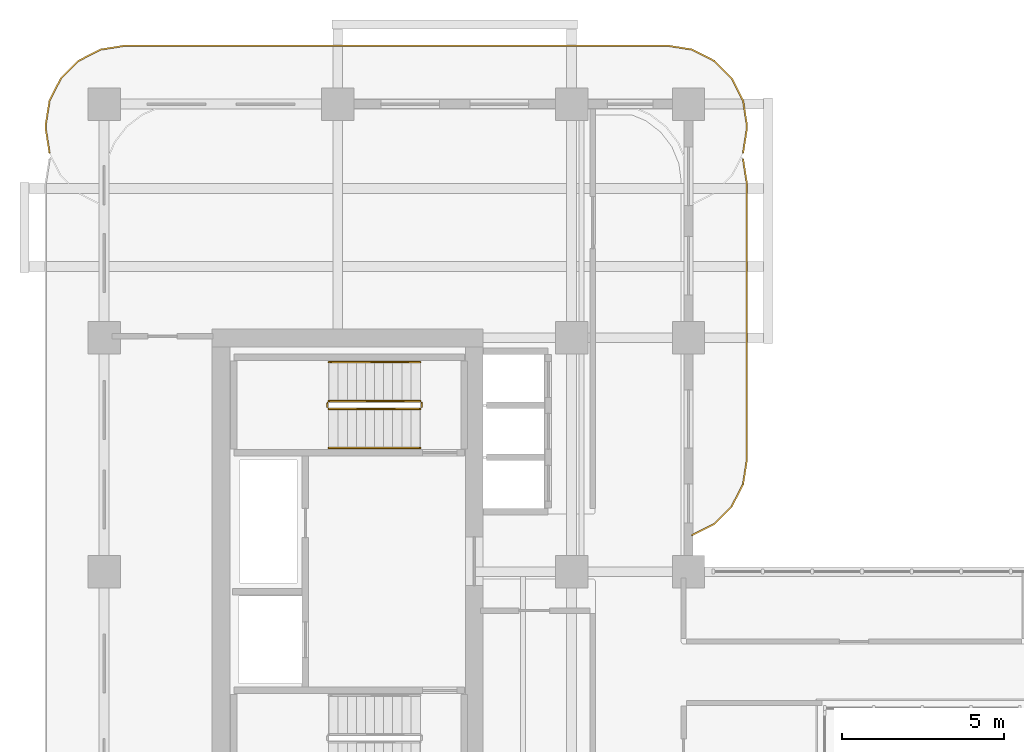
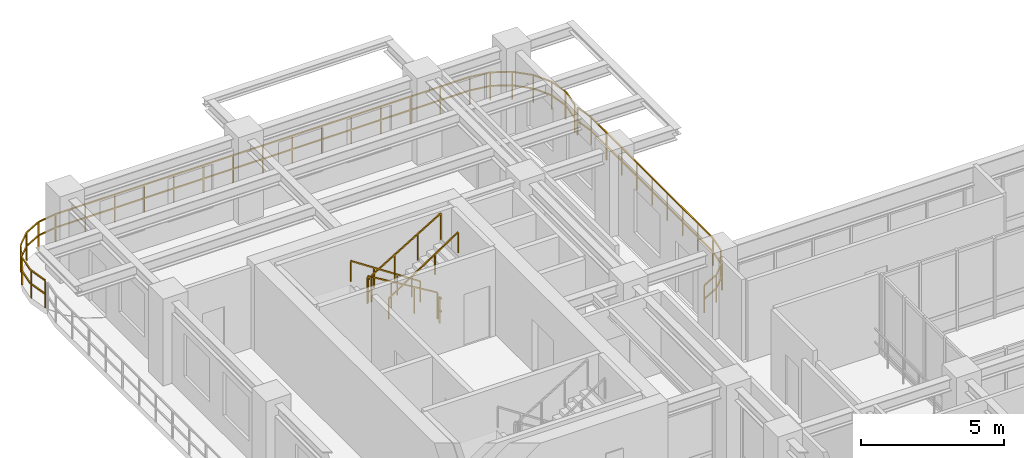
# One storey, part 19 of 19: 8 railings.
"""IFC4 building model written with IfcOpenShell, lengths in metres."""

from ifc_helpers import new_model, si_unit, derived_unit, direction, frame, origin, origin_2d, place, context, subcontext, project, spatial, rectangle, extrude, material, type_object, element, save


model = new_model("IFC4")

# Units and contexts
model_context = context("Model", 3, precision=1e-05, world=origin(), true_north=direction((0.0, 1.0)))
body_context = subcontext(model_context, "Body", "Model", "MODEL_VIEW")
ifc_project = project(units=[si_unit("LENGTHUNIT", "METRE"), si_unit("AREAUNIT", "SQUARE_METRE"), si_unit("VOLUMEUNIT", "CUBIC_METRE"), si_unit("PLANEANGLEUNIT", "RADIAN"), si_unit("MASSUNIT", "GRAM", prefix="KILO"), si_unit("THERMODYNAMICTEMPERATUREUNIT", "KELVIN"), si_unit("POWERUNIT", "WATT"), derived_unit("THERMALTRANSMITTANCEUNIT", [(si_unit("POWERUNIT", "WATT"), 1), (si_unit("AREAUNIT", "SQUARE_METRE"), -1), (si_unit("THERMODYNAMICTEMPERATUREUNIT", "KELVIN"), -1)])], contexts=[model_context])

# Site, building, storey
site_placement = place(None, origin())
site = spatial("IfcSite", under=ifc_project, at=site_placement, CompositionType="ELEMENT")
building_placement = place(site_placement, origin())
building = spatial("IfcBuilding", under=site, at=building_placement, Name="Zahravan Archway Hotel and Residences", CompositionType="ELEMENT")
storey_placement = place(building_placement, frame((0.0, 0.0, 134.0)))
storey = spatial("IfcBuildingStorey", under=building, at=storey_placement, Name="L33", CompositionType="ELEMENT", Elevation=134.0)

# Railings
ifc_material_1 = material(Name="Bronze & Laminated Glass Balustrade", Category="glass")
railing_type_1 = type_object("IfcRailingType", Name="RL-BAL-1200", PredefinedType="BALUSTRADE", material=ifc_material_1)
railing_1_placement = place(storey_placement, frame((-1.68017578125, 45.29296875, 0.0)))
element("IfcRailing", 1, at=railing_1_placement, inside=storey, type_object=railing_type_1, Name="L33 Balustrade RL-SLB-BAL-L33-NB-1", PredefinedType="BALUSTRADE", context=body_context, shape_type="SweptSolid", body=[
    extrude(rectangle(XDim=0.048095703125, YDim=0.048095703125, at=origin_2d()), frame((0.0, 0.0, 1.17578125), z_axis=(-0.156387811283, 0.987695728695, 0.0), x_axis=(-0.987695728695, -0.156387811283, 0.0)), (0.0, 0.0, 1.0), 0.7666015625),
    extrude(rectangle(XDim=0.048095703125, YDim=0.048095703125, at=origin_2d()), frame((0.0, 0.0, 0.60009765625), z_axis=(-0.156387811283, 0.987695728695, 0.0), x_axis=(-0.987695728695, -0.156387811283, 0.0)), (0.0, 0.0, 1.0), 0.7666015625),
    extrude(rectangle(XDim=0.048095703125, YDim=0.048095703125, at=origin_2d()), frame((-0.119873046875, 0.757080078125, 1.17578125), z_axis=(0.0, 1.0, 0.0), x_axis=(-1.0, 0.0, 0.0)), (0.0, 0.0, 1.0), 0.099853515625),
    extrude(rectangle(XDim=0.048095703125, YDim=0.048095703125, at=origin_2d()), frame((-0.119873046875, 0.757080078125, 0.60009765625), z_axis=(0.0, 1.0, 0.0), x_axis=(-1.0, 0.0, 0.0)), (0.0, 0.0, 1.0), 0.099853515625),
    extrude(rectangle(XDim=0.048095703125, YDim=0.048095703125, at=origin_2d()), frame((-0.119873046875, 0.85693359375, 1.17578125), z_axis=(0.156387811283, 0.987695728695, 0.0), x_axis=(-0.987695728695, 0.156387811283, 0.0)), (0.0, 0.0, 1.0), 0.7666015625),
    extrude(rectangle(XDim=0.048095703125, YDim=0.048095703125, at=origin_2d()), frame((-0.119873046875, 0.85693359375, 0.60009765625), z_axis=(0.156387811283, 0.987695728695, 0.0), x_axis=(-0.987695728695, 0.156387811283, 0.0)), (0.0, 0.0, 1.0), 0.7666015625),
    extrude(rectangle(XDim=0.048095703125, YDim=0.048095703125, at=origin_2d()), frame((0.0, 1.614013671875, 1.17578125), z_axis=(0.454078418624, 0.890961721815, 0.0), x_axis=(-0.890961721815, 0.454078418624, 0.0)), (0.0, 0.0, 1.0), 0.7666015625),
    extrude(rectangle(XDim=0.048095703125, YDim=0.048095703125, at=origin_2d()), frame((0.0, 1.614013671875, 0.60009765625), z_axis=(0.454078418624, 0.890961721815, 0.0), x_axis=(-0.890961721815, 0.454078418624, 0.0)), (0.0, 0.0, 1.0), 0.7666015625),
    extrude(rectangle(XDim=0.048095703125, YDim=0.048095703125, at=origin_2d()), frame((0.34814453125, 2.297119140625, 1.17578125), z_axis=(0.707106781187, 0.707106781187, 0.0), x_axis=(-0.707106781187, 0.707106781187, 0.0)), (0.0, 0.0, 1.0), 0.7666015625),
    extrude(rectangle(XDim=0.048095703125, YDim=0.048095703125, at=origin_2d()), frame((0.34814453125, 2.297119140625, 0.60009765625), z_axis=(0.707106781187, 0.707106781187, 0.0), x_axis=(-0.707106781187, 0.707106781187, 0.0)), (0.0, 0.0, 1.0), 0.7666015625),
    extrude(rectangle(XDim=0.048095703125, YDim=0.048095703125, at=origin_2d()), frame((0.89013671875, 2.839111328125, 1.17578125), z_axis=(0.891024909783, 0.453954414172, 0.0), x_axis=(-0.453954414172, 0.891024909783, 0.0)), (0.0, 0.0, 1.0), 0.766357421875),
    extrude(rectangle(XDim=0.048095703125, YDim=0.048095703125, at=origin_2d()), frame((0.89013671875, 2.839111328125, 0.60009765625), z_axis=(0.891024909783, 0.453954414172, 0.0), x_axis=(-0.453954414172, 0.891024909783, 0.0)), (0.0, 0.0, 1.0), 0.766357421875),
    extrude(rectangle(XDim=0.048095703125, YDim=0.048095703125, at=origin_2d()), frame((1.572998046875, 3.18701171875, 1.17578125), z_axis=(0.987646484274, 0.156698507018, 0.0), x_axis=(-0.156698507018, 0.987646484274, 0.0)), (0.0, 0.0, 1.0), 0.7666015625),
    extrude(rectangle(XDim=0.048095703125, YDim=0.048095703125, at=origin_2d()), frame((1.572998046875, 3.18701171875, 0.60009765625), z_axis=(0.987646484274, 0.156698507018, 0.0), x_axis=(-0.156698507018, 0.987646484274, 0.0)), (0.0, 0.0, 1.0), 0.7666015625),
    extrude(rectangle(XDim=0.048095703125, YDim=0.048095703125, at=origin_2d()), frame((2.330078125, 3.30712890625, 1.17578125), z_axis=(1.0, 0.0, 0.0), x_axis=(0.0, 1.0, 0.0)), (0.0, 0.0, 1.0), 16.7001953125),
    extrude(rectangle(XDim=0.048095703125, YDim=0.048095703125, at=origin_2d()), frame((2.330078125, 3.30712890625, 0.60009765625), z_axis=(1.0, 0.0, 0.0), x_axis=(0.0, 1.0, 0.0)), (0.0, 0.0, 1.0), 16.7001953125),
    extrude(rectangle(XDim=0.048095703125, YDim=0.048095703125, at=origin_2d()), frame((19.0302734375, 3.30712890625, 1.17578125), z_axis=(0.987646484274, -0.156698507018, 0.0), x_axis=(0.156698507018, 0.987646484274, 0.0)), (0.0, 0.0, 1.0), 0.7666015625),
    extrude(rectangle(XDim=0.048095703125, YDim=0.048095703125, at=origin_2d()), frame((19.0302734375, 3.30712890625, 0.60009765625), z_axis=(0.987646484274, -0.156698507018, 0.0), x_axis=(0.156698507018, 0.987646484274, 0.0)), (0.0, 0.0, 1.0), 0.7666015625),
    extrude(rectangle(XDim=0.048095703125, YDim=0.048095703125, at=origin_2d()), frame((19.787353515625, 3.18701171875, 1.17578125), z_axis=(0.891024909783, -0.453954414172, 0.0), x_axis=(0.453954414172, 0.891024909783, 0.0)), (0.0, 0.0, 1.0), 0.766357421875),
    extrude(rectangle(XDim=0.048095703125, YDim=0.048095703125, at=origin_2d()), frame((19.787353515625, 3.18701171875, 0.60009765625), z_axis=(0.891024909783, -0.453954414172, 0.0), x_axis=(0.453954414172, 0.891024909783, 0.0)), (0.0, 0.0, 1.0), 0.766357421875),
    extrude(rectangle(XDim=0.048095703125, YDim=0.048095703125, at=origin_2d()), frame((20.47021484375, 2.839111328125, 1.17578125), z_axis=(0.707106781187, -0.707106781187, 0.0), x_axis=(0.707106781187, 0.707106781187, 0.0)), (0.0, 0.0, 1.0), 0.7666015625),
    extrude(rectangle(XDim=0.048095703125, YDim=0.048095703125, at=origin_2d()), frame((20.47021484375, 2.839111328125, 0.60009765625), z_axis=(0.707106781187, -0.707106781187, 0.0), x_axis=(0.707106781187, 0.707106781187, 0.0)), (0.0, 0.0, 1.0), 0.7666015625),
    extrude(rectangle(XDim=0.048095703125, YDim=0.048095703125, at=origin_2d()), frame((21.01220703125, 2.297119140625, 1.17578125), z_axis=(0.454078418624, -0.890961721815, 0.0), x_axis=(0.890961721815, 0.454078418624, 0.0)), (0.0, 0.0, 1.0), 0.7666015625),
    extrude(rectangle(XDim=0.048095703125, YDim=0.048095703125, at=origin_2d()), frame((21.01220703125, 2.297119140625, 0.60009765625), z_axis=(0.454078418624, -0.890961721815, 0.0), x_axis=(0.890961721815, 0.454078418624, 0.0)), (0.0, 0.0, 1.0), 0.7666015625),
    extrude(rectangle(XDim=0.048095703125, YDim=0.048095703125, at=origin_2d()), frame((21.3603515625, 1.614013671875, 1.17578125), z_axis=(0.156387811283, -0.987695728695, 0.0), x_axis=(0.987695728695, 0.156387811283, 0.0)), (0.0, 0.0, 1.0), 0.7666015625),
    extrude(rectangle(XDim=0.048095703125, YDim=0.048095703125, at=origin_2d()), frame((21.3603515625, 1.614013671875, 0.60009765625), z_axis=(0.156387811283, -0.987695728695, 0.0), x_axis=(0.987695728695, 0.156387811283, 0.0)), (0.0, 0.0, 1.0), 0.7666015625),
    extrude(rectangle(XDim=0.048095703125, YDim=0.048095703125, at=origin_2d()), frame((21.480224609375, 0.85693359375, 1.17578125), z_axis=(0.0, -1.0, 0.0), x_axis=(1.0, 0.0, 0.0)), (0.0, 0.0, 1.0), 0.099853515625),
    extrude(rectangle(XDim=0.048095703125, YDim=0.048095703125, at=origin_2d()), frame((21.480224609375, 0.85693359375, 0.60009765625), z_axis=(0.0, -1.0, 0.0), x_axis=(1.0, 0.0, 0.0)), (0.0, 0.0, 1.0), 0.099853515625),
    extrude(rectangle(XDim=0.048095703125, YDim=0.048095703125, at=origin_2d()), frame((21.480224609375, 0.757080078125, 1.17578125), z_axis=(-0.156387811283, -0.987695728695, 0.0), x_axis=(0.987695728695, -0.156387811283, 0.0)), (0.0, 0.0, 1.0), 0.7666015625),
    extrude(rectangle(XDim=0.048095703125, YDim=0.048095703125, at=origin_2d()), frame((21.480224609375, 0.757080078125, 0.60009765625), z_axis=(-0.156387811283, -0.987695728695, 0.0), x_axis=(0.987695728695, -0.156387811283, 0.0)), (0.0, 0.0, 1.0), 0.7666015625),
    extrude(rectangle(XDim=0.0419921875, YDim=0.0419921875, at=origin_2d()), origin(), (0.0, 0.0, 1.0), 1.15185546875),
    extrude(rectangle(XDim=0.0419921875, YDim=0.0419921875, at=origin_2d()), frame((-0.119873046875, 0.757080078125, 0.0)), (0.0, 0.0, 1.0), 1.15185546875),
    extrude(rectangle(XDim=0.0419921875, YDim=0.0419921875, at=origin_2d()), frame((0.0, 1.614013671875, 0.0)), (0.0, 0.0, 1.0), 1.15185546875),
    extrude(rectangle(XDim=0.0419921875, YDim=0.0419921875, at=origin_2d()), frame((0.34814453125, 2.297119140625, 0.0)), (0.0, 0.0, 1.0), 1.15185546875),
    extrude(rectangle(XDim=0.0419921875, YDim=0.0419921875, at=origin_2d()), frame((0.89013671875, 2.839111328125, 0.0)), (0.0, 0.0, 1.0), 1.15185546875),
    extrude(rectangle(XDim=0.0419921875, YDim=0.0419921875, at=origin_2d()), frame((1.572998046875, 3.18701171875, 0.0)), (0.0, 0.0, 1.0), 1.15185546875),
    extrude(rectangle(XDim=0.0419921875, YDim=0.0419921875, at=origin_2d()), frame((2.330078125, 3.30712890625, 0.0)), (0.0, 0.0, 1.0), 1.15185546875),
    extrude(rectangle(XDim=0.0419921875, YDim=0.0419921875, at=origin_2d()), frame((3.52294921875, 3.30712890625, 0.0)), (0.0, 0.0, 1.0), 1.15185546875),
    extrude(rectangle(XDim=0.0419921875, YDim=0.0419921875, at=origin_2d()), frame((4.7158203125, 3.30712890625, 0.0)), (0.0, 0.0, 1.0), 1.15185546875),
    extrude(rectangle(XDim=0.0419921875, YDim=0.0419921875, at=origin_2d()), frame((5.90869140625, 3.30712890625, 0.0)), (0.0, 0.0, 1.0), 1.15185546875),
    extrude(rectangle(XDim=0.0419921875, YDim=0.0419921875, at=origin_2d()), frame((7.1015625, 3.30712890625, 0.0)), (0.0, 0.0, 1.0), 1.15185546875),
    extrude(rectangle(XDim=0.0419921875, YDim=0.0419921875, at=origin_2d()), frame((8.29443359375, 3.30712890625, 0.0)), (0.0, 0.0, 1.0), 1.15185546875),
    extrude(rectangle(XDim=0.0419921875, YDim=0.0419921875, at=origin_2d()), frame((9.4873046875, 3.30712890625, 0.0)), (0.0, 0.0, 1.0), 1.15185546875),
    extrude(rectangle(XDim=0.0419921875, YDim=0.0419921875, at=origin_2d()), frame((10.68017578125, 3.30712890625, 0.0)), (0.0, 0.0, 1.0), 1.15185546875),
    extrude(rectangle(XDim=0.0419921875, YDim=0.0419921875, at=origin_2d()), frame((11.873046875, 3.30712890625, 0.0)), (0.0, 0.0, 1.0), 1.15185546875),
    extrude(rectangle(XDim=0.0419921875, YDim=0.0419921875, at=origin_2d()), frame((13.06591796875, 3.30712890625, 0.0)), (0.0, 0.0, 1.0), 1.15185546875),
    extrude(rectangle(XDim=0.0419921875, YDim=0.0419921875, at=origin_2d()), frame((14.2587890625, 3.30712890625, 0.0)), (0.0, 0.0, 1.0), 1.15185546875),
    extrude(rectangle(XDim=0.0419921875, YDim=0.0419921875, at=origin_2d()), frame((15.45166015625, 3.30712890625, 0.0)), (0.0, 0.0, 1.0), 1.15185546875),
    extrude(rectangle(XDim=0.0419921875, YDim=0.0419921875, at=origin_2d()), frame((16.64453125, 3.30712890625, 0.0)), (0.0, 0.0, 1.0), 1.15185546875),
    extrude(rectangle(XDim=0.0419921875, YDim=0.0419921875, at=origin_2d()), frame((17.83740234375, 3.30712890625, 0.0)), (0.0, 0.0, 1.0), 1.15185546875),
    extrude(rectangle(XDim=0.0419921875, YDim=0.0419921875, at=origin_2d()), frame((19.0302734375, 3.30712890625, 0.0)), (0.0, 0.0, 1.0), 1.15185546875),
    extrude(rectangle(XDim=0.0419921875, YDim=0.0419921875, at=origin_2d()), frame((19.787353515625, 3.18701171875, 0.0)), (0.0, 0.0, 1.0), 1.15185546875),
    extrude(rectangle(XDim=0.0419921875, YDim=0.0419921875, at=origin_2d()), frame((20.47021484375, 2.839111328125, 0.0)), (0.0, 0.0, 1.0), 1.15185546875),
    extrude(rectangle(XDim=0.0419921875, YDim=0.0419921875, at=origin_2d()), frame((21.01220703125, 2.297119140625, 0.0)), (0.0, 0.0, 1.0), 1.15185546875),
    extrude(rectangle(XDim=0.0419921875, YDim=0.0419921875, at=origin_2d()), frame((21.3603515625, 1.614013671875, 0.0)), (0.0, 0.0, 1.0), 1.15185546875),
    extrude(rectangle(XDim=0.0419921875, YDim=0.0419921875, at=origin_2d()), frame((21.480224609375, 0.85693359375, 0.0)), (0.0, 0.0, 1.0), 1.15185546875),
    extrude(rectangle(XDim=0.0419921875, YDim=0.0419921875, at=origin_2d()), frame((21.3603515625, 0.0, 0.0)), (0.0, 0.0, 1.0), 1.15185546875),
])
railing_2_placement = place(storey_placement, frame((19.68017578125, 45.107177734375, 0.0)))
element("IfcRailing", 2, at=railing_2_placement, inside=storey, type_object=railing_type_1, Name="L33 Balustrade RL-SLB-BAL-L33-EB-1", PredefinedType="BALUSTRADE", context=body_context, shape_type="SweptSolid", body=[
    extrude(rectangle(XDim=0.048095703125, YDim=0.048095703125, at=origin_2d()), frame((0.0, 0.0, 1.17578125), z_axis=(0.156387811283, -0.987695728695, 0.0), x_axis=(0.987695728695, 0.156387811283, 0.0)), (0.0, 0.0, 1.0), 0.7666015625),
    extrude(rectangle(XDim=0.048095703125, YDim=0.048095703125, at=origin_2d()), frame((0.0, 0.0, 0.60009765625), z_axis=(0.156387811283, -0.987695728695, 0.0), x_axis=(0.987695728695, 0.156387811283, 0.0)), (0.0, 0.0, 1.0), 0.7666015625),
    extrude(rectangle(XDim=0.048095703125, YDim=0.048095703125, at=origin_2d()), frame((0.119873046875, -0.757080078125, 1.17578125), z_axis=(0.0, -1.0, 0.0), x_axis=(1.0, 0.0, 0.0)), (0.0, 0.0, 1.0), 8.5),
    extrude(rectangle(XDim=0.048095703125, YDim=0.048095703125, at=origin_2d()), frame((0.119873046875, -0.757080078125, 0.60009765625), z_axis=(0.0, -1.0, 0.0), x_axis=(1.0, 0.0, 0.0)), (0.0, 0.0, 1.0), 8.5),
    extrude(rectangle(XDim=0.048095703125, YDim=0.048095703125, at=origin_2d()), frame((0.119873046875, -9.257080078125, 1.17578125), z_axis=(-0.156387811283, -0.987695728695, 0.0), x_axis=(0.987695728695, -0.156387811283, 0.0)), (0.0, 0.0, 1.0), 0.7666015625),
    extrude(rectangle(XDim=0.048095703125, YDim=0.048095703125, at=origin_2d()), frame((0.119873046875, -9.257080078125, 0.60009765625), z_axis=(-0.156387811283, -0.987695728695, 0.0), x_axis=(0.987695728695, -0.156387811283, 0.0)), (0.0, 0.0, 1.0), 0.7666015625),
    extrude(rectangle(XDim=0.048095703125, YDim=0.048095703125, at=origin_2d()), frame((0.0, -10.01416015625, 1.17578125), z_axis=(-0.454078418624, -0.890961721815, 0.0), x_axis=(0.890961721815, -0.454078418624, 0.0)), (0.0, 0.0, 1.0), 0.7666015625),
    extrude(rectangle(XDim=0.048095703125, YDim=0.048095703125, at=origin_2d()), frame((0.0, -10.01416015625, 0.60009765625), z_axis=(-0.454078418624, -0.890961721815, 0.0), x_axis=(0.890961721815, -0.454078418624, 0.0)), (0.0, 0.0, 1.0), 0.7666015625),
    extrude(rectangle(XDim=0.048095703125, YDim=0.048095703125, at=origin_2d()), frame((-0.34814453125, -10.697265625, 1.17578125), z_axis=(-0.707106781187, -0.707106781187, 0.0), x_axis=(0.707106781187, -0.707106781187, 0.0)), (0.0, 0.0, 1.0), 0.7666015625),
    extrude(rectangle(XDim=0.048095703125, YDim=0.048095703125, at=origin_2d()), frame((-0.34814453125, -10.697265625, 0.60009765625), z_axis=(-0.707106781187, -0.707106781187, 0.0), x_axis=(0.707106781187, -0.707106781187, 0.0)), (0.0, 0.0, 1.0), 0.7666015625),
    extrude(rectangle(XDim=0.048095703125, YDim=0.048095703125, at=origin_2d()), frame((-0.89013671875, -11.2392578125, 1.17578125), z_axis=(-0.891024909783, -0.453954414172, 0.0), x_axis=(0.453954414172, -0.891024909783, 0.0)), (0.0, 0.0, 1.0), 0.766357421875),
    extrude(rectangle(XDim=0.048095703125, YDim=0.048095703125, at=origin_2d()), frame((-0.89013671875, -11.2392578125, 0.60009765625), z_axis=(-0.891024909783, -0.453954414172, 0.0), x_axis=(0.453954414172, -0.891024909783, 0.0)), (0.0, 0.0, 1.0), 0.766357421875),
    extrude(rectangle(XDim=0.0419921875, YDim=0.0419921875, at=origin_2d()), origin(), (0.0, 0.0, 1.0), 1.15185546875),
    extrude(rectangle(XDim=0.0419921875, YDim=0.0419921875, at=origin_2d()), frame((0.119873046875, -0.757080078125, 0.0)), (0.0, 0.0, 1.0), 1.15185546875),
    extrude(rectangle(XDim=0.0419921875, YDim=0.0419921875, at=origin_2d()), frame((0.119873046875, -1.819580078125, 0.0)), (0.0, 0.0, 1.0), 1.15185546875),
    extrude(rectangle(XDim=0.0419921875, YDim=0.0419921875, at=origin_2d()), frame((0.119873046875, -2.882080078125, 0.0)), (0.0, 0.0, 1.0), 1.15185546875),
    extrude(rectangle(XDim=0.0419921875, YDim=0.0419921875, at=origin_2d()), frame((0.119873046875, -3.944580078125, 0.0)), (0.0, 0.0, 1.0), 1.15185546875),
    extrude(rectangle(XDim=0.0419921875, YDim=0.0419921875, at=origin_2d()), frame((0.119873046875, -5.007080078125, 0.0)), (0.0, 0.0, 1.0), 1.15185546875),
    extrude(rectangle(XDim=0.0419921875, YDim=0.0419921875, at=origin_2d()), frame((0.119873046875, -6.069580078125, 0.0)), (0.0, 0.0, 1.0), 1.15185546875),
    extrude(rectangle(XDim=0.0419921875, YDim=0.0419921875, at=origin_2d()), frame((0.119873046875, -7.132080078125, 0.0)), (0.0, 0.0, 1.0), 1.15185546875),
    extrude(rectangle(XDim=0.0419921875, YDim=0.0419921875, at=origin_2d()), frame((0.119873046875, -8.194580078125, 0.0)), (0.0, 0.0, 1.0), 1.15185546875),
    extrude(rectangle(XDim=0.0419921875, YDim=0.0419921875, at=origin_2d()), frame((0.119873046875, -9.257080078125, 0.0)), (0.0, 0.0, 1.0), 1.15185546875),
    extrude(rectangle(XDim=0.0419921875, YDim=0.0419921875, at=origin_2d()), frame((0.0, -10.01416015625, 0.0)), (0.0, 0.0, 1.0), 1.15185546875),
    extrude(rectangle(XDim=0.0419921875, YDim=0.0419921875, at=origin_2d()), frame((-0.34814453125, -10.697265625, 0.0)), (0.0, 0.0, 1.0), 1.15185546875),
    extrude(rectangle(XDim=0.0419921875, YDim=0.0419921875, at=origin_2d()), frame((-0.89013671875, -11.2392578125, 0.0)), (0.0, 0.0, 1.0), 1.15185546875),
    extrude(rectangle(XDim=0.0419921875, YDim=0.0419921875, at=origin_2d()), frame((-1.572998046875, -11.587158203125, 0.0)), (0.0, 0.0, 1.0), 1.15185546875),
])
ifc_material_2 = material(Name="Painted Tubular Steel", Category="steel")
railing_type_2 = type_object("IfcRailingType", Name="RL-STG-1150", PredefinedType="GUARDRAIL", material=ifc_material_2)
railing_3_placement = place(storey_placement, frame((9.72998046875, 37.64990234375, 0.168212890625)))
element("IfcRailing", 3, at=railing_3_placement, inside=storey, type_object=railing_type_2, Name="L33 ST-B2 stair guard 1", PredefinedType="GUARDRAIL", context=body_context, shape_type="SweptSolid", body=[
    extrude(rectangle(XDim=0.048095703125, YDim=0.048095703125, at=origin_2d()), frame((0.0, 0.0, 1.1259765625), z_axis=(-0.857242210791, 0.0, 0.514913383045), x_axis=(0.0, -1.0, 0.0)), (0.0, 0.0, 1.0), 3.266357421875),
    extrude(rectangle(XDim=0.0419921875, YDim=0.0419921875, at=origin_2d()), origin(), (0.0, 0.0, 1.0), 1.101806640625),
    extrude(rectangle(XDim=0.0419921875, YDim=0.0419921875, at=origin_2d()), frame((-0.933349609375, 0.0, 0.560546875)), (0.0, 0.0, 1.0), 1.101806640625),
    extrude(rectangle(XDim=0.0419921875, YDim=0.0419921875, at=origin_2d()), frame((-1.86669921875, 0.0, 1.121337890625)), (0.0, 0.0, 1.0), 1.101806640625),
    extrude(rectangle(XDim=0.0419921875, YDim=0.0419921875, at=origin_2d()), frame((-2.800048828125, 0.0, 1.681884765625)), (0.0, 0.0, 1.0), 1.101806640625),
])
railing_4_placement = place(storey_placement, frame((6.8798828125, 37.60009765625, 1.85009765625)))
element("IfcRailing", 4, at=railing_4_placement, inside=storey, type_object=railing_type_2, Name="L33 ST-B2 stair guard 2", PredefinedType="GUARDRAIL", context=body_context, shape_type="SweptSolid", body=[
    extrude(rectangle(XDim=0.048095703125, YDim=0.048095703125, at=origin_2d()), frame((0.0, 0.0, 1.1259765625), z_axis=(0.0, -1.0, 0.0), x_axis=(1.0, 0.0, 0.0)), (0.0, 0.0, 1.0), 0.14013671875),
    extrude(rectangle(XDim=0.048095703125, YDim=0.048095703125, at=origin_2d()), frame((0.0, 0.0, 0.574951171875), z_axis=(0.0, -1.0, 0.0), x_axis=(1.0, 0.0, 0.0)), (0.0, 0.0, 1.0), 0.14013671875),
    extrude(rectangle(XDim=0.0419921875, YDim=0.0419921875, at=origin_2d()), origin(), (0.0, 0.0, 1.0), 1.101806640625),
])
railing_5_placement = place(storey_placement, frame((6.929931640625, 37.409912109375, 2.01806640625)))
element("IfcRailing", 5, at=railing_5_placement, inside=storey, type_object=railing_type_2, Name="L33 ST-B2 stair guard 3", PredefinedType="GUARDRAIL", context=body_context, shape_type="SweptSolid", body=[
    extrude(rectangle(XDim=0.048095703125, YDim=0.048095703125, at=origin_2d()), frame((0.0, 0.0, 1.1259765625), z_axis=(0.857242210791, 0.0, 0.514913383045), x_axis=(0.0, 1.0, 0.0)), (0.0, 0.0, 1.0), 3.266357421875),
    extrude(rectangle(XDim=0.0419921875, YDim=0.0419921875, at=origin_2d()), origin(), (0.0, 0.0, 1.0), 1.101806640625),
    extrude(rectangle(XDim=0.0419921875, YDim=0.0419921875, at=origin_2d()), frame((0.933349609375, 0.0, 0.560546875)), (0.0, 0.0, 1.0), 1.101806640625),
    extrude(rectangle(XDim=0.0419921875, YDim=0.0419921875, at=origin_2d()), frame((1.86669921875, 0.0, 1.121337890625)), (0.0, 0.0, 1.0), 1.101806640625),
    extrude(rectangle(XDim=0.0419921875, YDim=0.0419921875, at=origin_2d()), frame((2.800048828125, 0.0, 1.681884765625)), (0.0, 0.0, 1.0), 1.101806640625),
])
railing_6_placement = place(storey_placement, frame((9.780029296875, 37.60009765625, 0.0)))
element("IfcRailing", 6, at=railing_6_placement, inside=storey, type_object=railing_type_2, Name="L33 ST-B2 stair guard 4", PredefinedType="GUARDRAIL", context=body_context, shape_type="SweptSolid", body=[
    extrude(rectangle(XDim=0.048095703125, YDim=0.048095703125, at=origin_2d()), frame((0.0, 0.0, 1.1259765625), z_axis=(0.0, -1.0, 0.0), x_axis=(1.0, 0.0, 0.0)), (0.0, 0.0, 1.0), 0.14013671875),
    extrude(rectangle(XDim=0.048095703125, YDim=0.048095703125, at=origin_2d()), frame((0.0, 0.0, 0.574951171875), z_axis=(0.0, -1.0, 0.0), x_axis=(1.0, 0.0, 0.0)), (0.0, 0.0, 1.0), 0.14013671875),
    extrude(rectangle(XDim=0.0419921875, YDim=0.0419921875, at=origin_2d()), origin(), (0.0, 0.0, 1.0), 1.101806640625),
])
ifc_material_3 = material(Name="Brushed Stainless Steel", Category="steel")
railing_type_3 = type_object("IfcRailingType", Name="RL-STH-900", PredefinedType="HANDRAIL", material=ifc_material_3)
railing_7_placement = place(storey_placement, frame((9.72998046875, 38.85009765625, 0.168212890625)))
element("IfcRailing", 7, at=railing_7_placement, inside=storey, type_object=railing_type_3, Name="L33 ST-B2 stair handrail 1", PredefinedType="HANDRAIL", context=body_context, shape_type="SweptSolid", body=[
    extrude(rectangle(XDim=0.048095703125, YDim=0.048095703125, at=origin_2d()), frame((0.0, 0.0, 0.8759765625), z_axis=(-0.83435981716, 0.0, 0.551220187865), x_axis=(0.0, -1.0, 0.0)), (0.0, 0.0, 1.0), 3.35595703125),
    extrude(rectangle(XDim=0.0419921875, YDim=0.0419921875, at=origin_2d()), origin(), (0.0, 0.0, 1.0), 0.851806640625),
    extrude(rectangle(XDim=0.0419921875, YDim=0.0419921875, at=origin_2d()), frame((-0.933349609375, 0.0, 0.61669921875)), (0.0, 0.0, 1.0), 0.851806640625),
    extrude(rectangle(XDim=0.0419921875, YDim=0.0419921875, at=origin_2d()), frame((-1.86669921875, 0.0, 1.233154296875)), (0.0, 0.0, 1.0), 0.851806640625),
    extrude(rectangle(XDim=0.0419921875, YDim=0.0419921875, at=origin_2d()), frame((-2.800048828125, 0.0, 1.849853515625)), (0.0, 0.0, 1.0), 0.851806640625),
])
railing_8_placement = place(storey_placement, frame((6.929931640625, 36.2099609375, 2.01806640625)))
element("IfcRailing", 8, at=railing_8_placement, inside=storey, type_object=railing_type_3, Name="L33 ST-B2 stair handrail 2", PredefinedType="HANDRAIL", context=body_context, shape_type="SweptSolid", body=[
    extrude(rectangle(XDim=0.048095703125, YDim=0.048095703125, at=origin_2d()), frame((0.0, 0.0, 0.8759765625), z_axis=(0.834326358476, 0.0, 0.551270829586), x_axis=(0.0, 1.0, 0.0)), (0.0, 0.0, 1.0), 3.35595703125),
    extrude(rectangle(XDim=0.0419921875, YDim=0.0419921875, at=origin_2d()), origin(), (0.0, 0.0, 1.0), 0.851806640625),
    extrude(rectangle(XDim=0.0419921875, YDim=0.0419921875, at=origin_2d()), frame((0.933349609375, 0.0, 0.61669921875)), (0.0, 0.0, 1.0), 0.851806640625),
    extrude(rectangle(XDim=0.0419921875, YDim=0.0419921875, at=origin_2d()), frame((1.86669921875, 0.0, 1.2333984375)), (0.0, 0.0, 1.0), 0.851806640625),
    extrude(rectangle(XDim=0.0419921875, YDim=0.0419921875, at=origin_2d()), frame((2.800048828125, 0.0, 1.85009765625)), (0.0, 0.0, 1.0), 0.851806640625),
])

save(model, "model.ifc")
